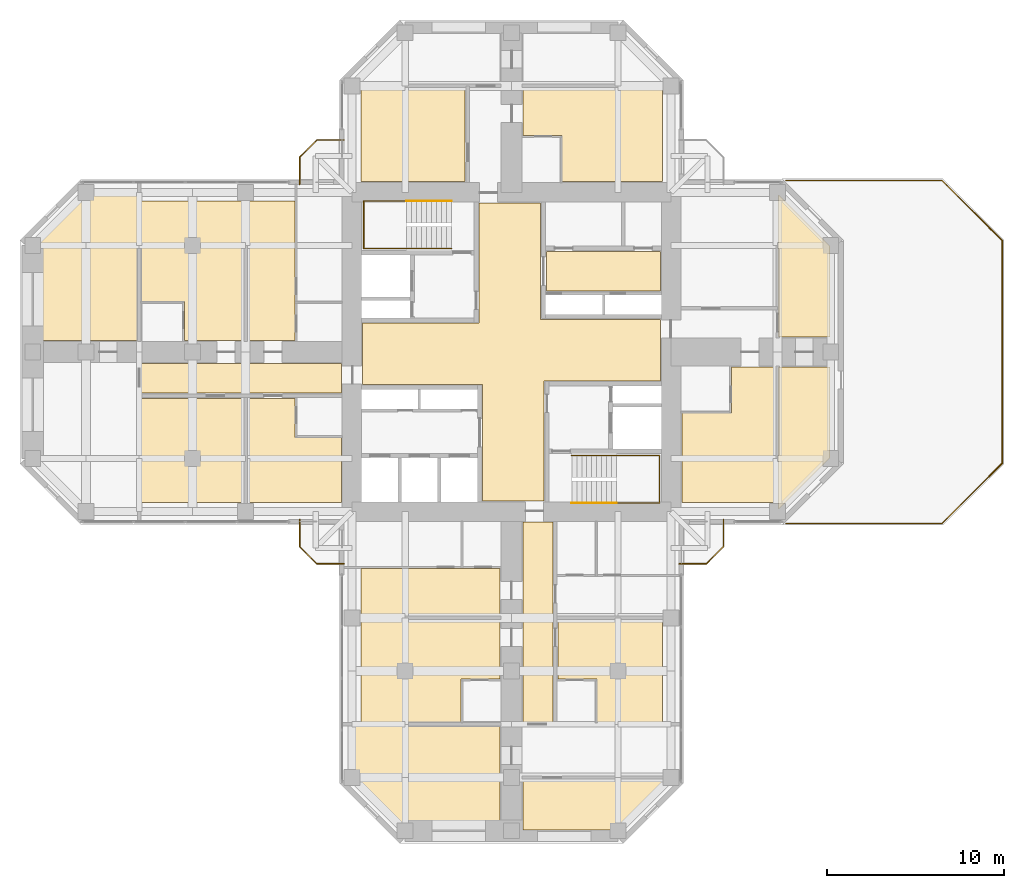
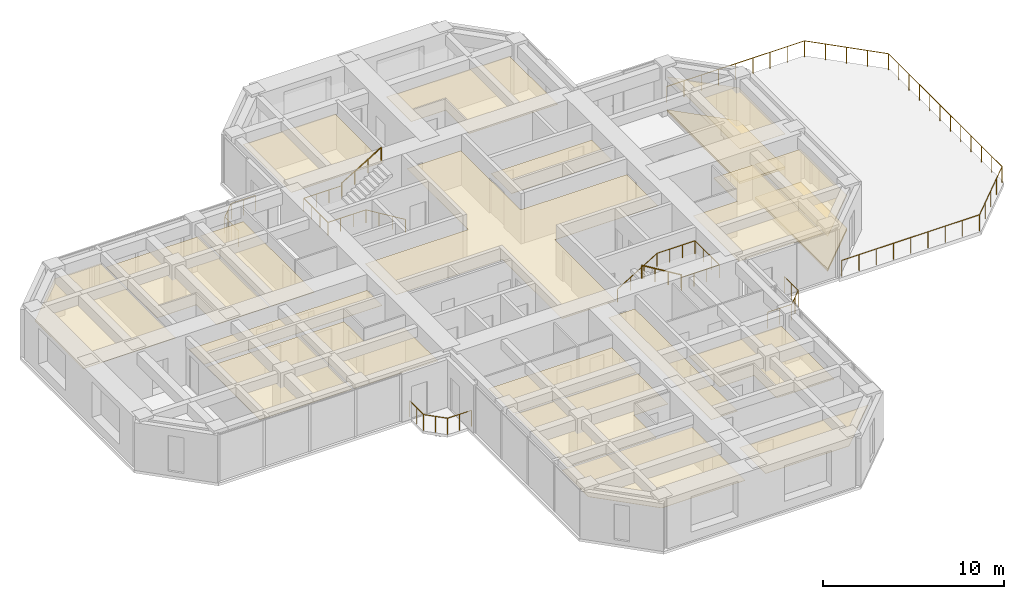
# One storey, part 13 of 14: 21 coverings, 8 railings.
"""IFC4 building model written with IfcOpenShell, lengths in metres."""

from ifc_helpers import new_model, si_unit, direction, frame, origin, origin_2d, place, context, subcontext, project, spatial, polyline, circle, outline, extrude, material, layer, layer_set, constituent, constituent_set, type_object, element, save


model = new_model("IFC4")

# Units and contexts
model_context = context("Model", 3, precision=1e-05, world=origin(), true_north=direction((0.0, 1.0)))
body_context = subcontext(model_context, "Body", "Model", "MODEL_VIEW")
ifc_project = project(units=[si_unit("LENGTHUNIT", "METRE"), si_unit("AREAUNIT", "SQUARE_METRE"), si_unit("VOLUMEUNIT", "CUBIC_METRE"), si_unit("PLANEANGLEUNIT", "RADIAN"), si_unit("MASSUNIT", "GRAM", prefix="KILO")], contexts=[model_context])

# Site, building, storey
site_placement = place(None, origin())
site = spatial("IfcSite", under=ifc_project, at=site_placement, CompositionType="ELEMENT")
building_placement = place(site_placement, origin())
building = spatial("IfcBuilding", under=site, at=building_placement, Name="Torre Cruceta", CompositionType="ELEMENT")
storey_placement = place(building_placement, frame((0.0, 0.0, 169.5)))
storey = spatial("IfcBuildingStorey", under=building, at=storey_placement, Name="L41", CompositionType="ELEMENT", Elevation=169.5)

# Railings
ifc_material_1 = material(Name="Stainless steel 1.4401", Category="steel")
ifc_constituent_1 = constituent(ifc_material_1, Name="Frame")
ifc_material_2 = material(Name="Laminated safety glass", Category="glass")
ifc_constituent_2 = constituent(ifc_material_2, Name="Infill")
ifc_constituent_set_1 = constituent_set(constituents=[ifc_constituent_1, ifc_constituent_2], Name="Stainless steel and laminated glass balustrade")
railing_type_1 = type_object("IfcRailingType", Name="BALCONY BALUSTRADE 1100", PredefinedType="BALUSTRADE", material=ifc_constituent_set_1)
railing_1_placement = place(storey_placement, frame((-9.449951171875, 11.949951171875, 0.0)))
element("IfcRailing", 1, at=railing_1_placement, inside=storey, type_object=railing_type_1, Name="BL1 balcony balustrade L41 N", PredefinedType="BALUSTRADE", context=body_context, shape_type="SweptSolid", body=[
    extrude(circle(Radius=0.02392578125, at=origin_2d()), frame((0.0, 0.0, 1.076171875), z_axis=(-1.0, 0.0, 0.0), x_axis=(0.0, -1.0, 0.0)), (0.0, 0.0, 1.0), 1.529296875),
    extrude(circle(Radius=0.02392578125, at=origin_2d()), frame((-1.529296875, 0.0, 1.076171875), z_axis=(-0.707106781187, -0.707106781187, 0.0), x_axis=(0.707106781187, -0.707106781187, 0.0)), (0.0, 0.0, 1.0), 1.372802734375),
    extrude(circle(Radius=0.02392578125, at=origin_2d()), frame((-2.5, -0.970703125, 1.076171875), z_axis=(0.0, -1.0, 0.0), x_axis=(1.0, 0.0, 0.0)), (0.0, 0.0, 1.0), 1.529296875),
    extrude(circle(Radius=0.02099609375, at=origin_2d()), origin(), (0.0, 0.0, 1.0), 1.052001953125),
    extrude(circle(Radius=0.02099609375, at=origin_2d()), frame((-0.7646484375, 0.0, 0.0)), (0.0, 0.0, 1.0), 1.052001953125),
    extrude(circle(Radius=0.02099609375, at=origin_2d()), frame((-1.529296875, 0.0, 0.0)), (0.0, 0.0, 1.0), 1.052001953125),
    extrude(circle(Radius=0.02099609375, at=origin_2d()), frame((-2.0146484375, -0.4853515625, 0.0)), (0.0, 0.0, 1.0), 1.052001953125),
    extrude(circle(Radius=0.02099609375, at=origin_2d()), frame((-2.5, -0.970703125, 0.0)), (0.0, 0.0, 1.0), 1.052001953125),
    extrude(circle(Radius=0.02099609375, at=origin_2d()), frame((-2.5, -1.7353515625, 0.0)), (0.0, 0.0, 1.0), 1.052001953125),
    extrude(circle(Radius=0.02099609375, at=origin_2d()), frame((-2.5, -2.5, 0.0)), (0.0, 0.0, 1.0), 1.052001953125),
])
railing_2_placement = place(storey_placement, frame((9.449951171875, -11.949951171875, 0.0)))
element("IfcRailing", 2, at=railing_2_placement, inside=storey, type_object=railing_type_1, Name="BL1 balcony balustrade L41 S", PredefinedType="BALUSTRADE", context=body_context, shape_type="SweptSolid", body=[
    extrude(circle(Radius=0.02392578125, at=origin_2d()), frame((0.0, 0.0, 1.076171875), z_axis=(1.0, 0.0, 0.0), x_axis=(0.0, 1.0, 0.0)), (0.0, 0.0, 1.0), 1.529296875),
    extrude(circle(Radius=0.02392578125, at=origin_2d()), frame((1.529296875, 0.0, 1.076171875), z_axis=(0.707106781187, 0.707106781187, 0.0), x_axis=(-0.707106781187, 0.707106781187, 0.0)), (0.0, 0.0, 1.0), 1.372802734375),
    extrude(circle(Radius=0.02392578125, at=origin_2d()), frame((2.5, 0.970703125, 1.076171875), z_axis=(0.0, 1.0, 0.0), x_axis=(-1.0, 0.0, 0.0)), (0.0, 0.0, 1.0), 1.529296875),
    extrude(circle(Radius=0.02099609375, at=origin_2d()), origin(), (0.0, 0.0, 1.0), 1.052001953125),
    extrude(circle(Radius=0.02099609375, at=origin_2d()), frame((0.7646484375, 0.0, 0.0)), (0.0, 0.0, 1.0), 1.052001953125),
    extrude(circle(Radius=0.02099609375, at=origin_2d()), frame((1.529296875, 0.0, 0.0)), (0.0, 0.0, 1.0), 1.052001953125),
    extrude(circle(Radius=0.02099609375, at=origin_2d()), frame((2.0146484375, 0.4853515625, 0.0)), (0.0, 0.0, 1.0), 1.052001953125),
    extrude(circle(Radius=0.02099609375, at=origin_2d()), frame((2.5, 0.970703125, 0.0)), (0.0, 0.0, 1.0), 1.052001953125),
    extrude(circle(Radius=0.02099609375, at=origin_2d()), frame((2.5, 1.7353515625, 0.0)), (0.0, 0.0, 1.0), 1.052001953125),
    extrude(circle(Radius=0.02099609375, at=origin_2d()), frame((2.5, 2.5, 0.0)), (0.0, 0.0, 1.0), 1.052001953125),
])
railing_3_placement = place(storey_placement, frame((-9.449951171875, -11.949951171875, 0.0)))
element("IfcRailing", 3, at=railing_3_placement, inside=storey, type_object=railing_type_1, Name="BL1 balcony balustrade L41 W", PredefinedType="BALUSTRADE", context=body_context, shape_type="SweptSolid", body=[
    extrude(circle(Radius=0.02392578125, at=origin_2d()), frame((0.0, 0.0, 1.076171875), z_axis=(-1.0, 0.0, 0.0), x_axis=(0.0, -1.0, 0.0)), (0.0, 0.0, 1.0), 1.529296875),
    extrude(circle(Radius=0.02392578125, at=origin_2d()), frame((-1.529296875, 0.0, 1.076171875), z_axis=(-0.707106781187, 0.707106781187, 0.0), x_axis=(-0.707106781187, -0.707106781187, 0.0)), (0.0, 0.0, 1.0), 1.372802734375),
    extrude(circle(Radius=0.02392578125, at=origin_2d()), frame((-2.5, 0.970703125, 1.076171875), z_axis=(0.0, 1.0, 0.0), x_axis=(-1.0, 0.0, 0.0)), (0.0, 0.0, 1.0), 1.529296875),
    extrude(circle(Radius=0.02099609375, at=origin_2d()), origin(), (0.0, 0.0, 1.0), 1.052001953125),
    extrude(circle(Radius=0.02099609375, at=origin_2d()), frame((-0.7646484375, 0.0, 0.0)), (0.0, 0.0, 1.0), 1.052001953125),
    extrude(circle(Radius=0.02099609375, at=origin_2d()), frame((-1.529296875, 0.0, 0.0)), (0.0, 0.0, 1.0), 1.052001953125),
    extrude(circle(Radius=0.02099609375, at=origin_2d()), frame((-2.0146484375, 0.4853515625, 0.0)), (0.0, 0.0, 1.0), 1.052001953125),
    extrude(circle(Radius=0.02099609375, at=origin_2d()), frame((-2.5, 0.970703125, 0.0)), (0.0, 0.0, 1.0), 1.052001953125),
    extrude(circle(Radius=0.02099609375, at=origin_2d()), frame((-2.5, 1.7353515625, 0.0)), (0.0, 0.0, 1.0), 1.052001953125),
    extrude(circle(Radius=0.02099609375, at=origin_2d()), frame((-2.5, 2.5, 0.0)), (0.0, 0.0, 1.0), 1.052001953125),
])
ifc_material_3 = material(Name="Stainless steel 1.4401", Category="steel")
railing_type_2 = type_object("IfcRailingType", Name="HANDRAIL 900", PredefinedType="HANDRAIL", material=ifc_material_3)
railing_4_placement = place(storey_placement, frame((-3.39990234375, 5.8349609375, 0.169921875)))
element("IfcRailing", 4, at=railing_4_placement, inside=storey, type_object=railing_type_2, Name="Handrail HR1 ST1 L41", PredefinedType="HANDRAIL", context=body_context, shape_type="SweptSolid", body=[
    extrude(circle(Radius=0.02392578125, at=origin_2d()), frame((0.0, 0.0, 0.8759765625), z_axis=(-0.85478489116, 0.0, 0.518982456201), x_axis=(0.0, -1.0, 0.0)), (0.0, 0.0, 1.0), 2.9482421875),
    extrude(circle(Radius=0.02392578125, at=origin_2d()), frame((-2.52001953125, 0.0, 2.40576171875), z_axis=(-1.0, 0.0, 0.0), x_axis=(0.0, -1.0, 0.0)), (0.0, 0.0, 1.0), 2.420166015625),
    extrude(circle(Radius=0.02392578125, at=origin_2d()), frame((-4.940185546875, 0.0, 2.40576171875), z_axis=(0.0, 1.0, 0.0), x_axis=(-1.0, 0.0, 0.0)), (0.0, 0.0, 1.0), 2.679931640625),
    extrude(circle(Radius=0.02392578125, at=origin_2d()), frame((-4.940185546875, 2.679931640625, 2.40576171875), z_axis=(1.0, 0.0, 0.0), x_axis=(0.0, 1.0, 0.0)), (0.0, 0.0, 1.0), 2.420166015625),
    extrude(circle(Radius=0.02099609375, at=origin_2d()), origin(), (0.0, 0.0, 1.0), 0.851806640625),
    extrude(circle(Radius=0.02099609375, at=origin_2d()), frame((-0.840087890625, 0.0, 0.510009765625)), (0.0, 0.0, 1.0), 0.851806640625),
    extrude(circle(Radius=0.02099609375, at=origin_2d()), frame((-1.679931640625, 0.0, 1.02001953125)), (0.0, 0.0, 1.0), 0.851806640625),
    extrude(circle(Radius=0.02099609375, at=origin_2d()), frame((-2.52001953125, 0.0, 1.530029296875)), (0.0, 0.0, 1.0), 0.851806640625),
    extrude(circle(Radius=0.02099609375, at=origin_2d()), frame((-3.32666015625, 0.0, 1.530029296875)), (0.0, 0.0, 1.0), 0.851806640625),
    extrude(circle(Radius=0.02099609375, at=origin_2d()), frame((-4.133544921875, 0.0, 1.530029296875)), (0.0, 0.0, 1.0), 0.851806640625),
    extrude(circle(Radius=0.02099609375, at=origin_2d()), frame((-4.940185546875, 0.0, 1.530029296875)), (0.0, 0.0, 1.0), 0.851806640625),
    extrude(circle(Radius=0.02099609375, at=origin_2d()), frame((-4.940185546875, 0.893310546875, 1.530029296875)), (0.0, 0.0, 1.0), 0.851806640625),
    extrude(circle(Radius=0.02099609375, at=origin_2d()), frame((-4.940185546875, 1.78662109375, 1.530029296875)), (0.0, 0.0, 1.0), 0.851806640625),
    extrude(circle(Radius=0.02099609375, at=origin_2d()), frame((-4.940185546875, 2.679931640625, 1.530029296875)), (0.0, 0.0, 1.0), 0.851806640625),
    extrude(circle(Radius=0.02099609375, at=origin_2d()), frame((-4.133544921875, 2.679931640625, 1.530029296875)), (0.0, 0.0, 1.0), 0.851806640625),
    extrude(circle(Radius=0.02099609375, at=origin_2d()), frame((-3.32666015625, 2.679931640625, 1.530029296875)), (0.0, 0.0, 1.0), 0.851806640625),
    extrude(circle(Radius=0.02099609375, at=origin_2d()), frame((-2.52001953125, 2.679931640625, 1.530029296875)), (0.0, 0.0, 1.0), 0.851806640625),
])
railing_5_placement = place(storey_placement, frame((-5.919921875, 8.514892578125, 1.8701171875)))
element("IfcRailing", 5, at=railing_5_placement, inside=storey, type_object=railing_type_2, Name="Handrail HR1 ST1 L41", PredefinedType="HANDRAIL", context=body_context, shape_type="SweptSolid", body=[
    extrude(circle(Radius=0.02392578125, at=origin_2d()), frame((0.0, 0.0, 0.8759765625), z_axis=(0.854821627497, 0.0, 0.518921945155), x_axis=(0.0, 1.0, 0.0)), (0.0, 0.0, 1.0), 2.947998046875),
    extrude(circle(Radius=0.02099609375, at=origin_2d()), origin(), (0.0, 0.0, 1.0), 0.851806640625),
    extrude(circle(Radius=0.02099609375, at=origin_2d()), frame((0.840087890625, 0.0, 0.510009765625)), (0.0, 0.0, 1.0), 0.851806640625),
    extrude(circle(Radius=0.02099609375, at=origin_2d()), frame((1.679931640625, 0.0, 1.019775390625)), (0.0, 0.0, 1.0), 0.851806640625),
    extrude(circle(Radius=0.02099609375, at=origin_2d()), frame((2.52001953125, 0.0, 1.52978515625)), (0.0, 0.0, 1.0), 0.851806640625),
])
railing_6_placement = place(storey_placement, frame((3.39990234375, -5.8349609375, 0.169921875)))
element("IfcRailing", 6, at=railing_6_placement, inside=storey, type_object=railing_type_2, Name="Handrail HR1 ST2 L41", PredefinedType="HANDRAIL", context=body_context, shape_type="SweptSolid", body=[
    extrude(circle(Radius=0.02392578125, at=origin_2d()), frame((0.0, 0.0, 0.8759765625), z_axis=(0.85478489116, 0.0, 0.518982456201), x_axis=(0.0, 1.0, 0.0)), (0.0, 0.0, 1.0), 2.9482421875),
    extrude(circle(Radius=0.02392578125, at=origin_2d()), frame((2.52001953125, 0.0, 2.40576171875), z_axis=(1.0, 0.0, 0.0), x_axis=(0.0, 1.0, 0.0)), (0.0, 0.0, 1.0), 2.420166015625),
    extrude(circle(Radius=0.02392578125, at=origin_2d()), frame((4.940185546875, 0.0, 2.40576171875), z_axis=(0.0, -1.0, 0.0), x_axis=(1.0, 0.0, 0.0)), (0.0, 0.0, 1.0), 2.679931640625),
    extrude(circle(Radius=0.02392578125, at=origin_2d()), frame((4.940185546875, -2.679931640625, 2.40576171875), z_axis=(-1.0, 0.0, 0.0), x_axis=(0.0, -1.0, 0.0)), (0.0, 0.0, 1.0), 2.420166015625),
    extrude(circle(Radius=0.02099609375, at=origin_2d()), origin(), (0.0, 0.0, 1.0), 0.851806640625),
    extrude(circle(Radius=0.02099609375, at=origin_2d()), frame((0.840087890625, 0.0, 0.510009765625)), (0.0, 0.0, 1.0), 0.851806640625),
    extrude(circle(Radius=0.02099609375, at=origin_2d()), frame((1.679931640625, 0.0, 1.02001953125)), (0.0, 0.0, 1.0), 0.851806640625),
    extrude(circle(Radius=0.02099609375, at=origin_2d()), frame((2.52001953125, 0.0, 1.530029296875)), (0.0, 0.0, 1.0), 0.851806640625),
    extrude(circle(Radius=0.02099609375, at=origin_2d()), frame((3.32666015625, 0.0, 1.530029296875)), (0.0, 0.0, 1.0), 0.851806640625),
    extrude(circle(Radius=0.02099609375, at=origin_2d()), frame((4.133544921875, 0.0, 1.530029296875)), (0.0, 0.0, 1.0), 0.851806640625),
    extrude(circle(Radius=0.02099609375, at=origin_2d()), frame((4.940185546875, 0.0, 1.530029296875)), (0.0, 0.0, 1.0), 0.851806640625),
    extrude(circle(Radius=0.02099609375, at=origin_2d()), frame((4.940185546875, -0.893310546875, 1.530029296875)), (0.0, 0.0, 1.0), 0.851806640625),
    extrude(circle(Radius=0.02099609375, at=origin_2d()), frame((4.940185546875, -1.78662109375, 1.530029296875)), (0.0, 0.0, 1.0), 0.851806640625),
    extrude(circle(Radius=0.02099609375, at=origin_2d()), frame((4.940185546875, -2.679931640625, 1.530029296875)), (0.0, 0.0, 1.0), 0.851806640625),
    extrude(circle(Radius=0.02099609375, at=origin_2d()), frame((4.133544921875, -2.679931640625, 1.530029296875)), (0.0, 0.0, 1.0), 0.851806640625),
    extrude(circle(Radius=0.02099609375, at=origin_2d()), frame((3.32666015625, -2.679931640625, 1.530029296875)), (0.0, 0.0, 1.0), 0.851806640625),
    extrude(circle(Radius=0.02099609375, at=origin_2d()), frame((2.52001953125, -2.679931640625, 1.530029296875)), (0.0, 0.0, 1.0), 0.851806640625),
])
railing_7_placement = place(storey_placement, frame((5.919921875, -8.514892578125, 1.8701171875)))
element("IfcRailing", 7, at=railing_7_placement, inside=storey, type_object=railing_type_2, Name="Handrail HR1 ST2 L41", PredefinedType="HANDRAIL", context=body_context, shape_type="SweptSolid", body=[
    extrude(circle(Radius=0.02392578125, at=origin_2d()), frame((0.0, 0.0, 0.8759765625), z_axis=(-0.854821627497, 0.0, 0.518921945155), x_axis=(0.0, -1.0, 0.0)), (0.0, 0.0, 1.0), 2.947998046875),
    extrude(circle(Radius=0.02099609375, at=origin_2d()), origin(), (0.0, 0.0, 1.0), 0.851806640625),
    extrude(circle(Radius=0.02099609375, at=origin_2d()), frame((-0.840087890625, 0.0, 0.510009765625)), (0.0, 0.0, 1.0), 0.851806640625),
    extrude(circle(Radius=0.02099609375, at=origin_2d()), frame((-1.679931640625, 0.0, 1.019775390625)), (0.0, 0.0, 1.0), 0.851806640625),
    extrude(circle(Radius=0.02099609375, at=origin_2d()), frame((-2.52001953125, 0.0, 1.52978515625)), (0.0, 0.0, 1.0), 0.851806640625),
])

# Coverings
ifc_material_4 = material(Name="Steel DX51D", Category="steel")
ifc_constituent_3 = constituent(ifc_material_4, Name="Panel casing")
ifc_material_5 = material(Name="Calcium sulphate", Category="gypsum")
ifc_constituent_4 = constituent(ifc_material_5, Name="Panel core")
ifc_constituent_set_2 = constituent_set(constituents=[ifc_constituent_3, ifc_constituent_4], Name="Raised access floor panel")
covering_type_1 = type_object("IfcCoveringType", Name="RAISED ACCESS FLOOR 150", PredefinedType="FLOORING", material=ifc_constituent_set_2)
covering_1_placement = place(storey_placement, origin())
element("IfcCovering", 8, at=covering_1_placement, inside=storey, type_object=covering_type_1, Name="Raised floor L41-031", PredefinedType="FLOORING", context=body_context, shape_type="SweptSolid", body=[
    extrude(outline(polyline([(17.949951171875, 5.979248046875), (17.949951171875, 0.85009765625), (15.050048828125, 0.85009765625), (15.050048828125, 8.87939453125), (17.949951171875, 5.979248046875)])), origin(), (0.0, 0.0, 1.0), 0.14990234375),
])
covering_2_placement = place(storey_placement, origin())
element("IfcCovering", 9, at=covering_2_placement, inside=storey, type_object=covering_type_1, Name="Raised floor L41-032", PredefinedType="FLOORING", context=body_context, shape_type="SweptSolid", body=[
    extrude(outline(polyline([(15.050048828125, -8.87939453125), (15.050048828125, -0.85009765625), (17.949951171875, -0.85009765625), (17.949951171875, -5.979248046875), (15.050048828125, -8.87939453125)])), origin(), (0.0, 0.0, 1.0), 0.14990234375),
])
ifc_material_6 = material(Name="Mineral fibre ceiling tile", Category="gypsum")
ifc_layer = layer(ifc_material_6, 0.02001953125)
ifc_layer_set = layer_set([ifc_layer], Name="Mineral fibre ceiling tile")
covering_type_2 = type_object("IfcCoveringType", Name="SUSPENDED CEILING 20", PredefinedType="CEILING", material=ifc_layer_set)
covering_3_placement = place(storey_placement, frame((0.0, 0.0, 2.35009765625)))
element("IfcCovering", 10, at=covering_3_placement, inside=storey, type_object=covering_type_2, Name="Ceiling L41-003", PredefinedType="CEILING", context=body_context, shape_type="SweptSolid", body=[
    extrude(outline(polyline([(-1.625, -8.39990234375), (-1.625, -1.824951171875), (-8.39990234375, -1.824951171875), (-8.39990234375, 1.625), (-1.824951171875, 1.625), (-1.824951171875, 8.39990234375), (1.625, 8.39990234375), (1.625, 1.824951171875), (8.39990234375, 1.824951171875), (8.39990234375, -1.625), (1.824951171875, -1.625), (1.824951171875, -8.39990234375), (-1.625, -8.39990234375)])), origin(), (0.0, 0.0, 1.0), 0.02001953125),
])
covering_4_placement = place(storey_placement, frame((0.0, 0.0, 2.35009765625)))
element("IfcCovering", 11, at=covering_4_placement, inside=storey, type_object=covering_type_2, Name="Ceiling L41-004", PredefinedType="CEILING", context=body_context, shape_type="SweptSolid", body=[
    extrude(outline(polyline([(1.97509765625, 3.425048828125), (1.97509765625, 5.675048828125), (8.39990234375, 5.675048828125), (8.39990234375, 3.425048828125), (1.97509765625, 3.425048828125)])), origin(), (0.0, 0.0, 1.0), 0.02001953125),
])
covering_5_placement = place(storey_placement, frame((0.0, 0.0, 2.35009765625)))
element("IfcCovering", 12, at=covering_5_placement, inside=storey, type_object=covering_type_2, Name="Ceiling L41-022", PredefinedType="CEILING", context=body_context, shape_type="SweptSolid", body=[
    extrude(outline(polyline([(-2.625, 9.60009765625), (-8.5, 9.60009765625), (-8.5, 14.949951171875), (-2.625, 14.949951171875), (-2.625, 9.60009765625)])), origin(), (0.0, 0.0, 1.0), 0.02001953125),
])
covering_6_placement = place(storey_placement, frame((0.0, 0.0, 2.35009765625)))
element("IfcCovering", 13, at=covering_6_placement, inside=storey, type_object=covering_type_2, Name="Ceiling L41-023", PredefinedType="CEILING", context=body_context, shape_type="SweptSolid", body=[
    extrude(outline(polyline([(0.64990234375, 14.949951171875), (8.5, 14.949951171875), (8.5, 9.60009765625), (2.85009765625, 9.60009765625), (2.85009765625, 12.199951171875), (0.64990234375, 12.199951171875), (0.64990234375, 14.949951171875)])), origin(), (0.0, 0.0, 1.0), 0.02001953125),
])
covering_7_placement = place(storey_placement, frame((0.0, 0.0, 2.35009765625)))
element("IfcCovering", 14, at=covering_7_placement, inside=storey, type_object=covering_type_2, Name="Ceiling L41-029", PredefinedType="CEILING", context=body_context, shape_type="SweptSolid", body=[
    extrude(outline(polyline([(14.949951171875, -0.85009765625), (14.949951171875, -8.5), (9.60009765625, -8.5), (9.60009765625, -3.449951171875), (12.39990234375, -3.449951171875), (12.39990234375, -0.85009765625), (14.949951171875, -0.85009765625)])), origin(), (0.0, 0.0, 1.0), 0.02001953125),
])
covering_8_placement = place(storey_placement, frame((0.0, 0.0, 2.35009765625)))
element("IfcCovering", 15, at=covering_8_placement, inside=storey, type_object=covering_type_2, Name="Ceiling L41-031", PredefinedType="CEILING", context=body_context, shape_type="SweptSolid", body=[
    extrude(outline(polyline([(17.949951171875, 5.979248046875), (17.949951171875, 0.85009765625), (15.050048828125, 0.85009765625), (15.050048828125, 8.87939453125), (17.949951171875, 5.979248046875)])), origin(), (0.0, 0.0, 1.0), 0.02001953125),
])
covering_9_placement = place(storey_placement, frame((0.0, 0.0, 2.35009765625)))
element("IfcCovering", 16, at=covering_9_placement, inside=storey, type_object=covering_type_2, Name="Ceiling L41-032", PredefinedType="CEILING", context=body_context, shape_type="SweptSolid", body=[
    extrude(outline(polyline([(15.050048828125, -8.87939453125), (15.050048828125, -0.85009765625), (17.949951171875, -0.85009765625), (17.949951171875, -5.979248046875), (15.050048828125, -8.87939453125)])), origin(), (0.0, 0.0, 1.0), 0.02001953125),
])
covering_10_placement = place(storey_placement, frame((0.0, 0.0, 2.35009765625)))
element("IfcCovering", 17, at=covering_10_placement, inside=storey, type_object=covering_type_2, Name="Ceiling L41-033", PredefinedType="CEILING", context=body_context, shape_type="SweptSolid", body=[
    extrude(outline(polyline([(0.64990234375, -9.60009765625), (2.324951171875, -9.60009765625), (2.324951171875, -20.949951171875), (0.64990234375, -20.949951171875), (0.64990234375, -9.60009765625)])), origin(), (0.0, 0.0, 1.0), 0.02001953125),
])
covering_11_placement = place(storey_placement, frame((0.0, 0.0, 2.35009765625)))
element("IfcCovering", 18, at=covering_11_placement, inside=storey, type_object=covering_type_2, Name="Ceiling L41-037", PredefinedType="CEILING", context=body_context, shape_type="SweptSolid", body=[
    extrude(outline(polyline([(-8.5, -14.949951171875), (-8.5, -12.199951171875), (-0.64990234375, -12.199951171875), (-0.64990234375, -14.949951171875), (-8.5, -14.949951171875)])), origin(), (0.0, 0.0, 1.0), 0.02001953125),
])
covering_12_placement = place(storey_placement, frame((0.0, 0.0, 2.35009765625)))
element("IfcCovering", 19, at=covering_12_placement, inside=storey, type_object=covering_type_2, Name="Ceiling L41-040", PredefinedType="CEILING", context=body_context, shape_type="SweptSolid", body=[
    extrude(outline(polyline([(2.625, -15.050048828125), (8.5, -15.050048828125), (8.5, -20.949951171875), (4.824951171875, -20.949951171875), (4.824951171875, -18.449951171875), (2.625, -18.449951171875), (2.625, -15.050048828125)])), origin(), (0.0, 0.0, 1.0), 0.02001953125),
])
covering_13_placement = place(storey_placement, frame((0.0, 0.0, 2.35009765625)))
element("IfcCovering", 20, at=covering_13_placement, inside=storey, type_object=covering_type_2, Name="Ceiling L41-042", PredefinedType="CEILING", context=body_context, shape_type="SweptSolid", body=[
    extrude(outline(polyline([(-8.5, -20.949951171875), (-8.5, -15.050048828125), (-0.64990234375, -15.050048828125), (-0.64990234375, -18.449951171875), (-2.85009765625, -18.449951171875), (-2.85009765625, -20.949951171875), (-8.5, -20.949951171875)])), origin(), (0.0, 0.0, 1.0), 0.02001953125),
])
covering_14_placement = place(storey_placement, frame((0.0, 0.0, 2.35009765625)))
element("IfcCovering", 21, at=covering_14_placement, inside=storey, type_object=covering_type_2, Name="Ceiling L41-045", PredefinedType="CEILING", context=body_context, shape_type="SweptSolid", body=[
    extrude(outline(polyline([(0.64990234375, -26.949951171875), (0.64990234375, -24.050048828125), (8.87939453125, -24.050048828125), (5.979248046875, -26.949951171875), (0.64990234375, -26.949951171875)])), origin(), (0.0, 0.0, 1.0), 0.02001953125),
])
covering_15_placement = place(storey_placement, frame((0.0, 0.0, 2.35009765625)))
element("IfcCovering", 22, at=covering_15_placement, inside=storey, type_object=covering_type_2, Name="Ceiling L41-046", PredefinedType="CEILING", context=body_context, shape_type="SweptSolid", body=[
    extrude(outline(polyline([(-8.949951171875, -23.979248046875), (-8.949951171875, -21.050048828125), (-0.64990234375, -21.050048828125), (-0.64990234375, -26.949951171875), (-5.979248046875, -26.949951171875), (-8.949951171875, -23.979248046875)])), origin(), (0.0, 0.0, 1.0), 0.02001953125),
])
covering_16_placement = place(storey_placement, frame((0.0, 0.0, 2.35009765625)))
element("IfcCovering", 23, at=covering_16_placement, inside=storey, type_object=covering_type_2, Name="Ceiling L41-047", PredefinedType="CEILING", context=body_context, shape_type="SweptSolid", body=[
    extrude(outline(polyline([(-9.60009765625, -0.64990234375), (-9.60009765625, -2.324951171875), (-20.949951171875, -2.324951171875), (-20.949951171875, -0.64990234375), (-9.60009765625, -0.64990234375)])), origin(), (0.0, 0.0, 1.0), 0.02001953125),
])
covering_17_placement = place(storey_placement, frame((0.0, 0.0, 2.35009765625)))
element("IfcCovering", 24, at=covering_17_placement, inside=storey, type_object=covering_type_2, Name="Ceiling L41-048", PredefinedType="CEILING", context=body_context, shape_type="SweptSolid", body=[
    extrude(outline(polyline([(-9.60009765625, -8.5), (-14.949951171875, -8.5), (-14.949951171875, -2.625), (-12.199951171875, -2.625), (-12.199951171875, -4.824951171875), (-9.60009765625, -4.824951171875), (-9.60009765625, -8.5)])), origin(), (0.0, 0.0, 1.0), 0.02001953125),
])
covering_18_placement = place(storey_placement, frame((0.0, 0.0, 2.35009765625)))
element("IfcCovering", 25, at=covering_18_placement, inside=storey, type_object=covering_type_2, Name="Ceiling L41-050", PredefinedType="CEILING", context=body_context, shape_type="SweptSolid", body=[
    extrude(outline(polyline([(-14.949951171875, 8.5), (-12.199951171875, 8.5), (-12.199951171875, 0.64990234375), (-14.949951171875, 0.64990234375), (-14.949951171875, 8.5)])), origin(), (0.0, 0.0, 1.0), 0.02001953125),
])
covering_19_placement = place(storey_placement, frame((0.0, 0.0, 2.35009765625)))
element("IfcCovering", 26, at=covering_19_placement, inside=storey, type_object=covering_type_2, Name="Ceiling L41-053", PredefinedType="CEILING", context=body_context, shape_type="SweptSolid", body=[
    extrude(outline(polyline([(-15.050048828125, -2.625), (-15.050048828125, -8.5), (-20.949951171875, -8.5), (-20.949951171875, -2.625), (-15.050048828125, -2.625)])), origin(), (0.0, 0.0, 1.0), 0.02001953125),
])
covering_20_placement = place(storey_placement, frame((0.0, 0.0, 2.35009765625)))
element("IfcCovering", 27, at=covering_20_placement, inside=storey, type_object=covering_type_2, Name="Ceiling L41-054", PredefinedType="CEILING", context=body_context, shape_type="SweptSolid", body=[
    extrude(outline(polyline([(-20.949951171875, 8.5), (-15.050048828125, 8.5), (-15.050048828125, 0.64990234375), (-18.449951171875, 0.64990234375), (-18.449951171875, 2.85009765625), (-20.949951171875, 2.85009765625), (-20.949951171875, 8.5)])), origin(), (0.0, 0.0, 1.0), 0.02001953125),
])
covering_21_placement = place(storey_placement, frame((0.0, 0.0, 2.35009765625)))
element("IfcCovering", 28, at=covering_21_placement, inside=storey, type_object=covering_type_2, Name="Ceiling L41-057", PredefinedType="CEILING", context=body_context, shape_type="SweptSolid", body=[
    extrude(outline(polyline([(-23.979248046875, 8.949951171875), (-21.050048828125, 8.949951171875), (-21.050048828125, 0.64990234375), (-26.949951171875, 0.64990234375), (-26.949951171875, 5.979248046875), (-23.979248046875, 8.949951171875)])), origin(), (0.0, 0.0, 1.0), 0.02001953125),
])

# Railing
ifc_material_7 = material(Name="Stainless steel 1.4401", Category="steel")
ifc_constituent_5 = constituent(ifc_material_7, Name="Frame")
ifc_material_8 = material(Name="Laminated safety glass", Category="glass")
ifc_constituent_6 = constituent(ifc_material_8, Name="Infill")
ifc_constituent_set_3 = constituent_set(constituents=[ifc_constituent_5, ifc_constituent_6], Name="Stainless steel and laminated glass balustrade")
railing_type_3 = type_object("IfcRailingType", Name="TERRACE GUARD 1100", PredefinedType="GUARDRAIL", material=ifc_constituent_set_3)
railing_8_placement = place(storey_placement, frame((15.48974609375, 9.669921875, 0.0)))
element("IfcRailing", 29, at=railing_8_placement, inside=storey, type_object=railing_type_3, Name="GR1 terrace guard L41 1", PredefinedType="GUARDRAIL", context=body_context, shape_type="SweptSolid", body=[
    extrude(circle(Radius=0.02392578125, at=origin_2d()), frame((0.0, 0.0, 1.076171875), z_axis=(1.0, 0.0, 0.0), x_axis=(0.0, 1.0, 0.0)), (0.0, 0.0, 1.0), 8.787841796875),
    extrude(circle(Radius=0.02392578125, at=origin_2d()), frame((8.787841796875, 0.0, 1.076171875), z_axis=(0.707106781187, -0.707106781187, 0.0), x_axis=(0.707106781187, 0.707106781187, 0.0)), (0.0, 0.0, 1.0), 4.79736328125),
    extrude(circle(Radius=0.02392578125, at=origin_2d()), frame((12.18017578125, -3.392333984375, 1.076171875), z_axis=(0.0, -1.0, 0.0), x_axis=(1.0, 0.0, 0.0)), (0.0, 0.0, 1.0), 12.55517578125),
    extrude(circle(Radius=0.02392578125, at=origin_2d()), frame((12.18017578125, -15.947509765625, 1.076171875), z_axis=(-0.707106781187, -0.707106781187, 0.0), x_axis=(0.707106781187, -0.707106781187, 0.0)), (0.0, 0.0, 1.0), 4.79736328125),
    extrude(circle(Radius=0.02392578125, at=origin_2d()), frame((8.787841796875, -19.33984375, 1.076171875), z_axis=(-1.0, 0.0, 0.0), x_axis=(0.0, -1.0, 0.0)), (0.0, 0.0, 1.0), 8.787841796875),
    extrude(circle(Radius=0.02099609375, at=origin_2d()), origin(), (0.0, 0.0, 1.0), 1.052001953125),
    extrude(circle(Radius=0.02099609375, at=origin_2d()), frame((1.098388671875, 0.0, 0.0)), (0.0, 0.0, 1.0), 1.052001953125),
    extrude(circle(Radius=0.02099609375, at=origin_2d()), frame((2.197021484375, 0.0, 0.0)), (0.0, 0.0, 1.0), 1.052001953125),
    extrude(circle(Radius=0.02099609375, at=origin_2d()), frame((3.29541015625, 0.0, 0.0)), (0.0, 0.0, 1.0), 1.052001953125),
    extrude(circle(Radius=0.02099609375, at=origin_2d()), frame((4.39404296875, 0.0, 0.0)), (0.0, 0.0, 1.0), 1.052001953125),
    extrude(circle(Radius=0.02099609375, at=origin_2d()), frame((5.492431640625, 0.0, 0.0)), (0.0, 0.0, 1.0), 1.052001953125),
    extrude(circle(Radius=0.02099609375, at=origin_2d()), frame((6.5908203125, 0.0, 0.0)), (0.0, 0.0, 1.0), 1.052001953125),
    extrude(circle(Radius=0.02099609375, at=origin_2d()), frame((7.689453125, 0.0, 0.0)), (0.0, 0.0, 1.0), 1.052001953125),
    extrude(circle(Radius=0.02099609375, at=origin_2d()), frame((8.787841796875, 0.0, 0.0)), (0.0, 0.0, 1.0), 1.052001953125),
    extrude(circle(Radius=0.02099609375, at=origin_2d()), frame((9.635986328125, -0.84814453125, 0.0)), (0.0, 0.0, 1.0), 1.052001953125),
    extrude(circle(Radius=0.02099609375, at=origin_2d()), frame((10.48388671875, -1.6962890625, 0.0)), (0.0, 0.0, 1.0), 1.052001953125),
    extrude(circle(Radius=0.02099609375, at=origin_2d()), frame((11.33203125, -2.544189453125, 0.0)), (0.0, 0.0, 1.0), 1.052001953125),
    extrude(circle(Radius=0.02099609375, at=origin_2d()), frame((12.18017578125, -3.392333984375, 0.0)), (0.0, 0.0, 1.0), 1.052001953125),
    extrude(circle(Radius=0.02099609375, at=origin_2d()), frame((12.18017578125, -4.53369140625, 0.0)), (0.0, 0.0, 1.0), 1.052001953125),
    extrude(circle(Radius=0.02099609375, at=origin_2d()), frame((12.18017578125, -5.675048828125, 0.0)), (0.0, 0.0, 1.0), 1.052001953125),
    extrude(circle(Radius=0.02099609375, at=origin_2d()), frame((12.18017578125, -6.81640625, 0.0)), (0.0, 0.0, 1.0), 1.052001953125),
    extrude(circle(Radius=0.02099609375, at=origin_2d()), frame((12.18017578125, -7.957763671875, 0.0)), (0.0, 0.0, 1.0), 1.052001953125),
    extrude(circle(Radius=0.02099609375, at=origin_2d()), frame((12.18017578125, -9.09912109375, 0.0)), (0.0, 0.0, 1.0), 1.052001953125),
    extrude(circle(Radius=0.02099609375, at=origin_2d()), frame((12.18017578125, -10.24072265625, 0.0)), (0.0, 0.0, 1.0), 1.052001953125),
    extrude(circle(Radius=0.02099609375, at=origin_2d()), frame((12.18017578125, -11.382080078125, 0.0)), (0.0, 0.0, 1.0), 1.052001953125),
    extrude(circle(Radius=0.02099609375, at=origin_2d()), frame((12.18017578125, -12.5234375, 0.0)), (0.0, 0.0, 1.0), 1.052001953125),
    extrude(circle(Radius=0.02099609375, at=origin_2d()), frame((12.18017578125, -13.664794921875, 0.0)), (0.0, 0.0, 1.0), 1.052001953125),
    extrude(circle(Radius=0.02099609375, at=origin_2d()), frame((12.18017578125, -14.80615234375, 0.0)), (0.0, 0.0, 1.0), 1.052001953125),
    extrude(circle(Radius=0.02099609375, at=origin_2d()), frame((12.18017578125, -15.947509765625, 0.0)), (0.0, 0.0, 1.0), 1.052001953125),
    extrude(circle(Radius=0.02099609375, at=origin_2d()), frame((11.33203125, -16.795654296875, 0.0)), (0.0, 0.0, 1.0), 1.052001953125),
    extrude(circle(Radius=0.02099609375, at=origin_2d()), frame((10.48388671875, -17.6435546875, 0.0)), (0.0, 0.0, 1.0), 1.052001953125),
    extrude(circle(Radius=0.02099609375, at=origin_2d()), frame((9.635986328125, -18.49169921875, 0.0)), (0.0, 0.0, 1.0), 1.052001953125),
    extrude(circle(Radius=0.02099609375, at=origin_2d()), frame((8.787841796875, -19.33984375, 0.0)), (0.0, 0.0, 1.0), 1.052001953125),
    extrude(circle(Radius=0.02099609375, at=origin_2d()), frame((7.689453125, -19.33984375, 0.0)), (0.0, 0.0, 1.0), 1.052001953125),
    extrude(circle(Radius=0.02099609375, at=origin_2d()), frame((6.5908203125, -19.33984375, 0.0)), (0.0, 0.0, 1.0), 1.052001953125),
    extrude(circle(Radius=0.02099609375, at=origin_2d()), frame((5.492431640625, -19.33984375, 0.0)), (0.0, 0.0, 1.0), 1.052001953125),
    extrude(circle(Radius=0.02099609375, at=origin_2d()), frame((4.39404296875, -19.33984375, 0.0)), (0.0, 0.0, 1.0), 1.052001953125),
    extrude(circle(Radius=0.02099609375, at=origin_2d()), frame((3.29541015625, -19.33984375, 0.0)), (0.0, 0.0, 1.0), 1.052001953125),
    extrude(circle(Radius=0.02099609375, at=origin_2d()), frame((2.197021484375, -19.33984375, 0.0)), (0.0, 0.0, 1.0), 1.052001953125),
    extrude(circle(Radius=0.02099609375, at=origin_2d()), frame((1.098388671875, -19.33984375, 0.0)), (0.0, 0.0, 1.0), 1.052001953125),
    extrude(circle(Radius=0.02099609375, at=origin_2d()), frame((0.0, -19.33984375, 0.0)), (0.0, 0.0, 1.0), 1.052001953125),
])

save(model, "model.ifc")
